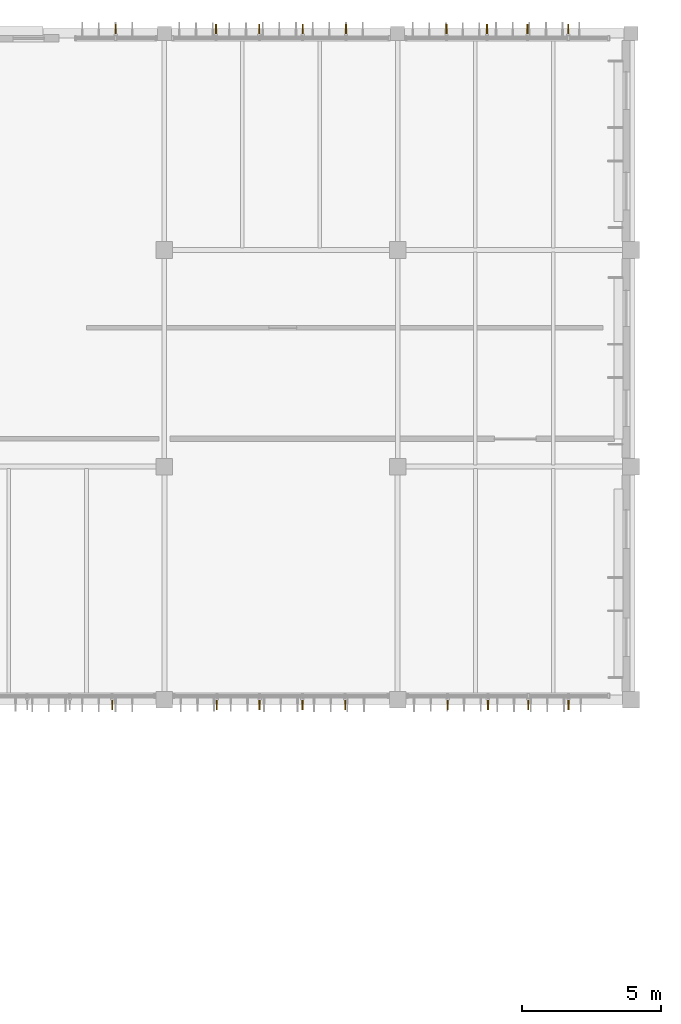
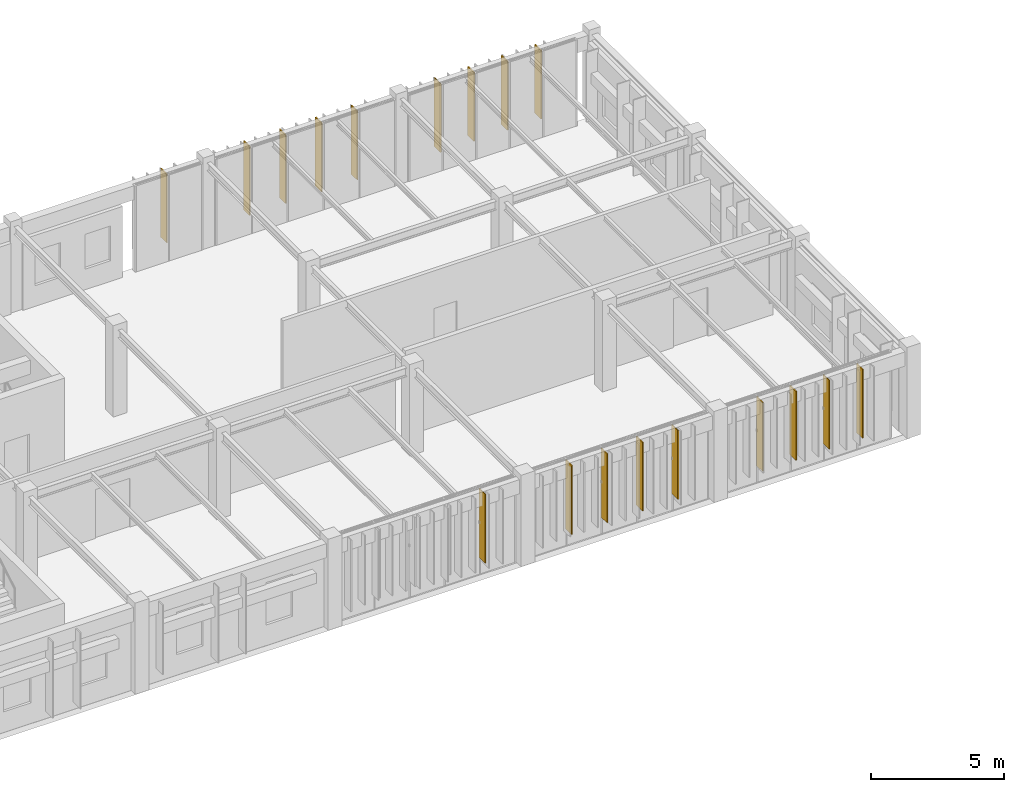
# One storey, part 104 of 104: 18 shading devices.
"""IFC4 building model written with IfcOpenShell, lengths in metres."""

from ifc_helpers import new_model, si_unit, direction, frame, origin, origin_2d, place, context, subcontext, project, spatial, rectangle, extrude, material, layer, layer_set, type_object, element, save


model = new_model("IFC4")

# Units and contexts
model_context = context("Model", 3, precision=1e-05, world=origin(), true_north=direction((0.0, 1.0)))
body_context = subcontext(model_context, "Body", "Model", "MODEL_VIEW")
ifc_project = project(units=[si_unit("LENGTHUNIT", "METRE"), si_unit("AREAUNIT", "SQUARE_METRE"), si_unit("VOLUMEUNIT", "CUBIC_METRE"), si_unit("PLANEANGLEUNIT", "RADIAN"), si_unit("MASSUNIT", "GRAM", prefix="KILO")], contexts=[model_context])

# Site, building, storey
site_placement = place(None, origin())
site = spatial("IfcSite", under=ifc_project, at=site_placement, CompositionType="ELEMENT")
building_placement = place(site_placement, origin())
building = spatial("IfcBuilding", under=site, at=building_placement, Name="Tazoul Stagehouse", CompositionType="ELEMENT")
storey_placement = place(building_placement, frame((0.0, 0.0, 9.0)))
storey = spatial("IfcBuildingStorey", under=building, at=storey_placement, Name="L02", CompositionType="ELEMENT", Elevation=9.0)

# Shading devices
ifc_material = material(Name="Anodised Bronze Aluminium 6063-T6", Category="aluminium")
ifc_layer_1 = layer(ifc_material, 0.050048828125, Name="Anodised Bronze Aluminium 6063-T6")
ifc_layer_set_1 = layer_set([ifc_layer_1], Name="Anodised Bronze Aluminium 6063-T6")
shading_device_type_1 = type_object("IfcShadingDeviceType", Name="Angled Acoustic Sun-Screen Blade 460", PredefinedType="USERDEFINED", material=ifc_layer_set_1)
for number, where, z_axis, x_axis, name in (
    (1, (132.050048828125, 111.89990234375, 0.75), (0.0, 0.0, 1.0), (1.0, 0.0, 0.0), "Shading Louvre FIN-02 CW-V3-N3-L02-B1-SHD01"),
    (2, (135.659912109375, 111.89990234375, 0.75), (0.0, 0.0, 1.0), (1.0, 0.0, 0.0), "Shading Louvre FIN-02 CW-V3-N3-L02-B2-SHD01"),
    (3, (138.780029296875, 111.89990234375, 0.75), (0.0, 0.0, 1.0), (1.0, 0.0, 0.0), "Shading Louvre FIN-02 CW-V3-N3-L02-B2-SHD03"),
    (4, (143.9599609375, 111.89990234375, 0.75), (0.0, 0.0, 1.0), (1.0, 0.0, 0.0), "Shading Louvre FIN-02 CW-V3-N3-L02-B3-SHD01"),
    (5, (146.8798828125, 111.89990234375, 0.75), (0.0, 0.0, 1.0), (1.0, 0.0, 0.0), "Shading Louvre FIN-02 CW-V3-N3-L02-B3-SHD03"),
    (6, (135.68994140625, 87.669921875, 0.75), (0.0, 0.0, 1.0), (1.0, 0.0, 0.0), "Shading Louvre FIN-02 CW-V3-S2-L02-B2-SHD01"),
    (7, (138.77001953125, 87.669921875, 0.75), (0.0, 0.0, 1.0), (1.0, 0.0, 0.0), "Shading Louvre FIN-02 CW-V3-S2-L02-B2-SHD03"),
    (8, (144.0, 87.669921875, 0.75), (0.0, 0.0, 1.0), (1.0, 0.0, 0.0), "Shading Louvre FIN-02 CW-V3-S2-L02-B3-SHD01"),
    (9, (146.89990234375, 87.669921875, 0.75), (0.0, 0.0, 1.0), (1.0, 0.0, 0.0), "Shading Louvre FIN-02 CW-V3-S2-L02-B3-SHD03"),
):
    element("IfcShadingDevice", number, at=place(storey_placement, frame(where, z_axis=z_axis, x_axis=x_axis)), inside=storey, type_object=shading_device_type_1, Name=name, ObjectType="FIN", PredefinedType="USERDEFINED", context=body_context, shape_type="SweptSolid", body=[
        extrude(rectangle(XDim=0.044921875, YDim=0.4599609375, at=origin_2d()), origin(), (0.0, 0.0, 1.0), 3.169921875),
    ])
ifc_layer_2 = layer(ifc_material, 0.044921875, Name="Anodised Bronze Aluminium 6063-T6")
ifc_layer_set_2 = layer_set([ifc_layer_2], Name="Anodised Bronze Aluminium 6063-T6")
shading_device_type_2 = type_object("IfcShadingDeviceType", Name="Vertical Extruded Terracotta-Bronze Louvre 460", PredefinedType="JALOUSIE", material=ifc_layer_set_2)
for number, where, z_axis, x_axis, name in (
    (10, (137.219970703125, 111.89990234375, 0.75), (0.0, 0.0, 1.0), (1.0, 0.0, 0.0), "Shading Louvre FIN-01 CW-V3-N3-L02-B2-SHD02"),
    (11, (140.340087890625, 111.89990234375, 0.75), (0.0, 0.0, 1.0), (1.0, 0.0, 0.0), "Shading Louvre FIN-01 CW-V3-N3-L02-B2-SHD04"),
    (12, (145.419921875, 111.89990234375, 0.75), (0.0, 0.0, 1.0), (1.0, 0.0, 0.0), "Shading Louvre FIN-01 CW-V3-N3-L02-B3-SHD02"),
    (13, (148.340087890625, 111.89990234375, 0.75), (0.0, 0.0, 1.0), (1.0, 0.0, 0.0), "Shading Louvre FIN-01 CW-V3-N3-L02-B3-SHD04"),
    (14, (131.919921875, 87.669921875, 0.75), (0.0, 0.0, 1.0), (1.0, 0.0, 0.0), "Shading Louvre FIN-01 CW-V3-S2-L02-B1-SHD04"),
    (15, (137.22998046875, 87.669921875, 0.75), (0.0, 0.0, 1.0), (1.0, 0.0, 0.0), "Shading Louvre FIN-01 CW-V3-S2-L02-B2-SHD02"),
    (16, (140.31005859375, 87.669921875, 0.75), (0.0, 0.0, 1.0), (1.0, 0.0, 0.0), "Shading Louvre FIN-01 CW-V3-S2-L02-B2-SHD04"),
    (17, (145.449951171875, 87.669921875, 0.75), (0.0, 0.0, 1.0), (1.0, 0.0, 0.0), "Shading Louvre FIN-01 CW-V3-S2-L02-B3-SHD02"),
    (18, (148.35009765625, 87.669921875, 0.75), (0.0, 0.0, 1.0), (1.0, 0.0, 0.0), "Shading Louvre FIN-01 CW-V3-S2-L02-B3-SHD04"),
):
    element("IfcShadingDevice", number, at=place(storey_placement, frame(where, z_axis=z_axis, x_axis=x_axis)), inside=storey, type_object=shading_device_type_2, Name=name, PredefinedType="JALOUSIE", context=body_context, shape_type="SweptSolid", body=[
        extrude(rectangle(XDim=0.044921875, YDim=0.4599609375, at=origin_2d()), origin(), (0.0, 0.0, 1.0), 3.169921875),
    ])

save(model, "model.ifc")
